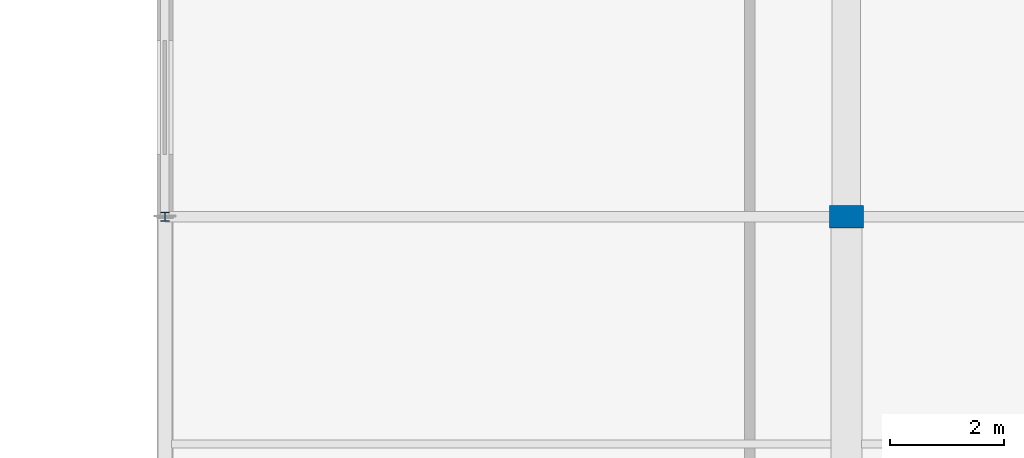
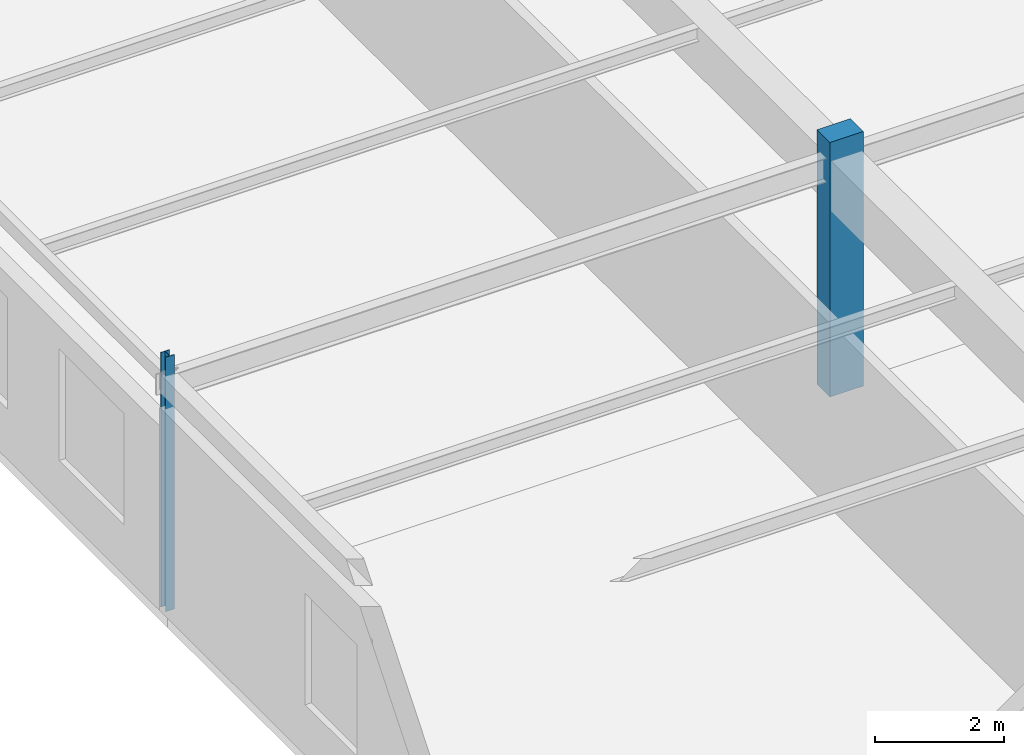
# One storey, part 21 of 199: 2 columns.
"""IFC4 building model written with IfcOpenShell, lengths in metres."""

from ifc_helpers import new_model, si_unit, direction, frame, origin, origin_2d, place, context, subcontext, project, spatial, rectangle, i_section, extrude, material, material_profile, profile_set, type_object, element, save


model = new_model("IFC4")

# Units and contexts
model_context = context("Model", 3, precision=1e-05, world=origin(), true_north=direction((0.0, 1.0)))
body_context = subcontext(model_context, "Body", "Model", "MODEL_VIEW")
ifc_project = project(units=[si_unit("LENGTHUNIT", "METRE"), si_unit("AREAUNIT", "SQUARE_METRE"), si_unit("VOLUMEUNIT", "CUBIC_METRE"), si_unit("PLANEANGLEUNIT", "RADIAN"), si_unit("MASSUNIT", "GRAM", prefix="KILO")], contexts=[model_context])

# Site, building, storey
site_placement = place(None, origin())
site = spatial("IfcSite", under=ifc_project, at=site_placement, CompositionType="ELEMENT")
building_placement = place(site_placement, origin())
building = spatial("IfcBuilding", under=site, at=building_placement, Name="Tarnwether General Hospital", CompositionType="ELEMENT")
storey_placement = place(building_placement, origin())
storey = spatial("IfcBuildingStorey", under=building, at=storey_placement, Name="L00", CompositionType="ELEMENT", Elevation=0.0)

# Columns
ifc_material_1 = material(Name="Concrete 50 MPa", Category="concrete")
ifc_material_profile_1 = material_profile(ifc_material_1, rectangle(XDim=0.39990234375, YDim=0.60009765625, at=origin_2d()), Name="RC-PIL-400x600")
ifc_profile_set_1 = profile_set([ifc_material_profile_1], Name="Concrete 50 MPa")
column_type_1 = type_object("IfcColumnType", Name="COL-21", PredefinedType="PILASTER", material=ifc_profile_set_1)
column_1_placement = place(storey_placement, frame((12.0, 81.60009765625, 0.0), z_axis=(0.0, 0.0, 1.0), x_axis=(0.0, 1.0, 0.0)))
element("IfcColumn", 1, at=column_1_placement, inside=storey, type_object=column_type_1, Name="Column COLG-L00-1200_8160", PredefinedType="PILASTER", context=body_context, shape_type="SweptSolid", body=[
    extrude(rectangle(XDim=0.39990234375, YDim=0.60009765625, at=origin_2d()), origin(), (0.0, 0.0, 1.0), 4.800048828125),
])
ifc_material_2 = material(Name="Steel Grade 350 (350 MPa)", Category="steel")
ifc_material_profile_2 = material_profile(ifc_material_2, i_section(OverallWidth=0.153076171875, OverallDepth=0.157958984375, WebThickness=0.006591796875, FlangeThickness=0.009521484375, at=origin_2d()), Name="150UC30.0")
ifc_profile_set_2 = profile_set([ifc_material_profile_2], Name="Steel Grade 350 (350 MPa)")
column_type_2 = type_object("IfcColumnType", Name="COL-31", PredefinedType="COLUMN", material=ifc_profile_set_2)
column_2_placement = place(storey_placement, frame((0.0, 81.60009765625, 0.0), z_axis=(0.0, 0.0, 1.0), x_axis=(1.0, 0.0, 0.0)))
element("IfcColumn", 2, at=column_2_placement, inside=storey, type_object=column_type_2, Name="Column COLG-L00-0_8160", PredefinedType="COLUMN", context=body_context, shape_type="SweptSolid", body=[
    extrude(i_section(OverallWidth=0.153076171875, OverallDepth=0.157958984375, WebThickness=0.006591796875, FlangeThickness=0.009521484375, at=origin_2d()), origin(), (0.0, 0.0, 1.0), 4.800048828125),
])

save(model, "model.ifc")
